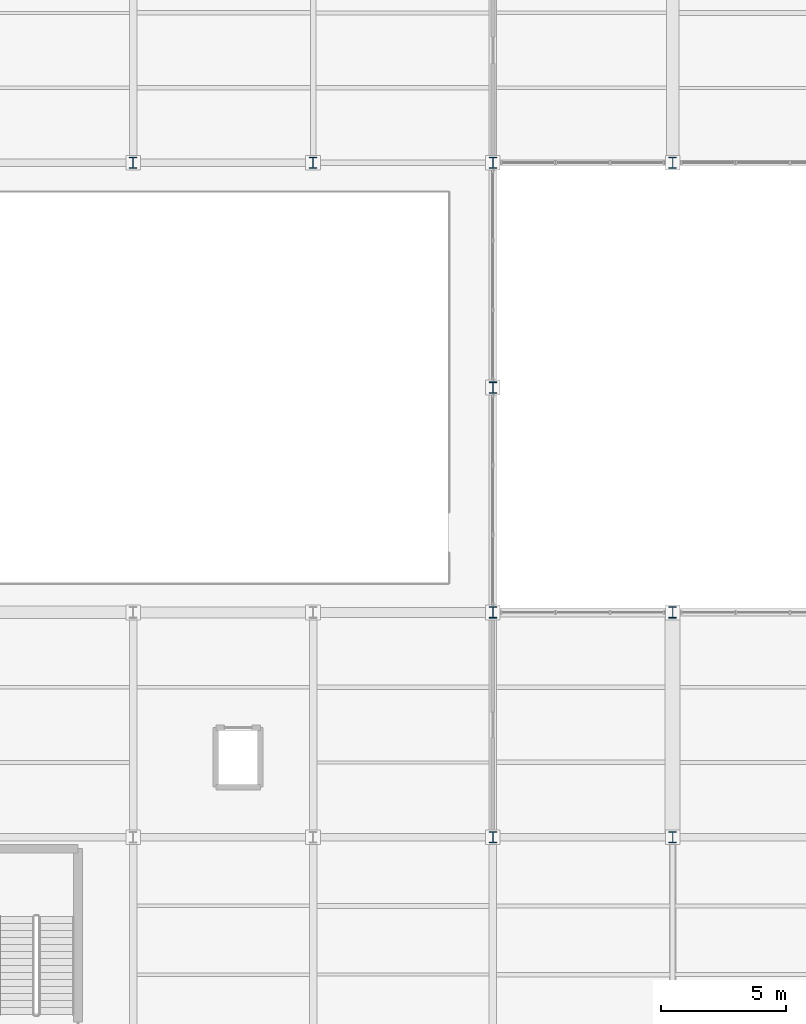
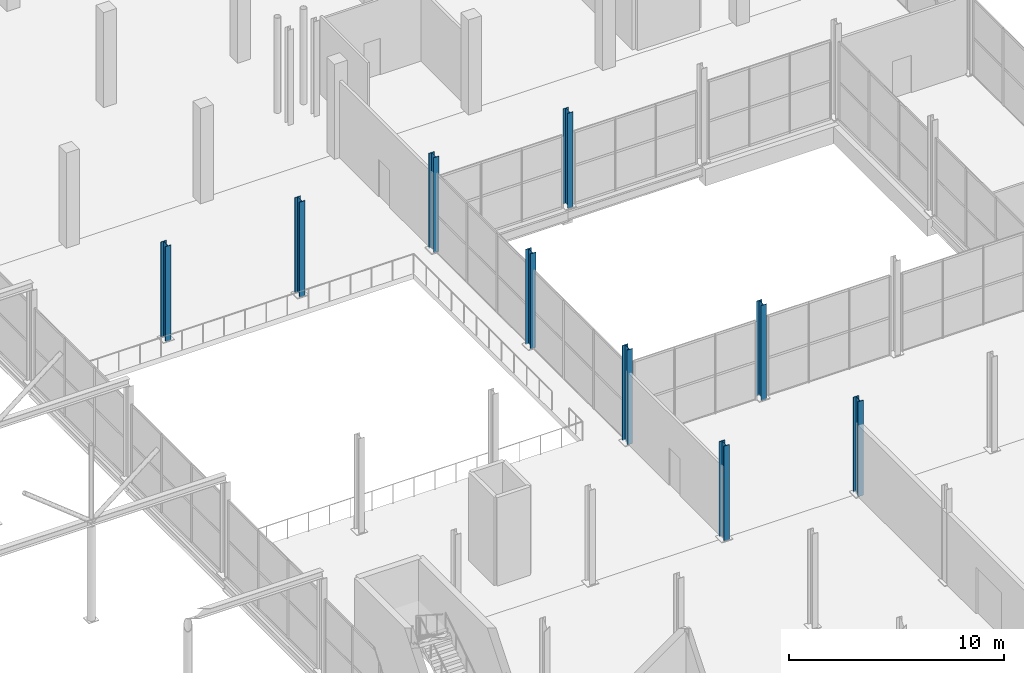
# One storey, part 4 of 147: 9 columns.
"""IFC4 building model written with IfcOpenShell, lengths in metres."""

from ifc_helpers import new_model, si_unit, direction, frame, origin, origin_2d, place, context, subcontext, project, spatial, i_section, extrude, material, material_profile, profile_set, type_object, element, save


model = new_model("IFC4")

# Units and contexts
model_context = context("Model", 3, precision=1e-05, world=origin(), true_north=direction((0.0, 1.0)))
body_context = subcontext(model_context, "Body", "Model", "MODEL_VIEW")
ifc_project = project(units=[si_unit("LENGTHUNIT", "METRE"), si_unit("AREAUNIT", "SQUARE_METRE"), si_unit("VOLUMEUNIT", "CUBIC_METRE"), si_unit("PLANEANGLEUNIT", "RADIAN"), si_unit("MASSUNIT", "GRAM", prefix="KILO")], contexts=[model_context])

# Site, building, storey
site_placement = place(None, origin())
site = spatial("IfcSite", under=ifc_project, at=site_placement, CompositionType="ELEMENT")
building_placement = place(site_placement, origin())
building = spatial("IfcBuilding", under=site, at=building_placement, Name="Sundgate Opera House", CompositionType="ELEMENT")
storey_placement = place(building_placement, frame((0.0, 0.0, 6.0)))
storey = spatial("IfcBuildingStorey", under=building, at=storey_placement, Name="L01", CompositionType="ELEMENT", Elevation=6.0)

# Columns
ifc_material = material(Name="Steel S355J2", Category="steel")
ifc_material_profile = material_profile(ifc_material, i_section(OverallWidth=0.300048828125, OverallDepth=0.449951171875, WebThickness=0.013916015625, FlangeThickness=0.02587890625, at=origin_2d()), Name="HEB 450")
ifc_profile_set = profile_set([ifc_material_profile], Name="Steel S355J2")
column_type = type_object("IfcColumnType", Name="CL-STL-450", PredefinedType="COLUMN", material=ifc_profile_set)
for number, where, z_axis, x_axis, name in (
    (1, (102.60009765625, 60.0, 0.0), (0.0, 0.0, 1.0), (1.0, 0.0, 0.0), "L01 Column C0718"),
    (2, (109.800048828125, 60.0, 0.0), (0.0, 0.0, 1.0), (1.0, 0.0, 0.0), "L01 Column C0782"),
    (3, (117.0, 33.0, 0.0), (0.0, 0.0, 1.0), (1.0, 0.0, 0.0), "L01 Column C0834"),
    (4, (117.0, 42.0, 0.0), (0.0, 0.0, 1.0), (1.0, 0.0, 0.0), "L01 Column C0838"),
    (5, (117.0, 51.0, 0.0), (0.0, 0.0, 1.0), (1.0, 0.0, 0.0), "L01 Column C0842"),
    (6, (117.0, 60.0, 0.0), (0.0, 0.0, 1.0), (1.0, 0.0, 0.0), "L01 Column C0846"),
    (7, (124.199951171875, 33.0, 0.0), (0.0, 0.0, 1.0), (1.0, 0.0, 0.0), "L01 Column C0898"),
    (8, (124.199951171875, 42.0, 0.0), (0.0, 0.0, 1.0), (1.0, 0.0, 0.0), "L01 Column C0902"),
    (9, (124.199951171875, 60.0, 0.0), (0.0, 0.0, 1.0), (1.0, 0.0, 0.0), "L01 Column C0906"),
):
    element("IfcColumn", number, at=place(storey_placement, frame(where, z_axis=z_axis, x_axis=x_axis)), inside=storey, type_object=column_type, Name=name, PredefinedType="COLUMN", context=body_context, shape_type="SweptSolid", body=[
        extrude(i_section(OverallWidth=0.300048828125, OverallDepth=0.449951171875, WebThickness=0.013916015625, FlangeThickness=0.02587890625, at=origin_2d()), origin(), (0.0, 0.0, 1.0), 5.39990234375),
    ])

save(model, "model.ifc")
